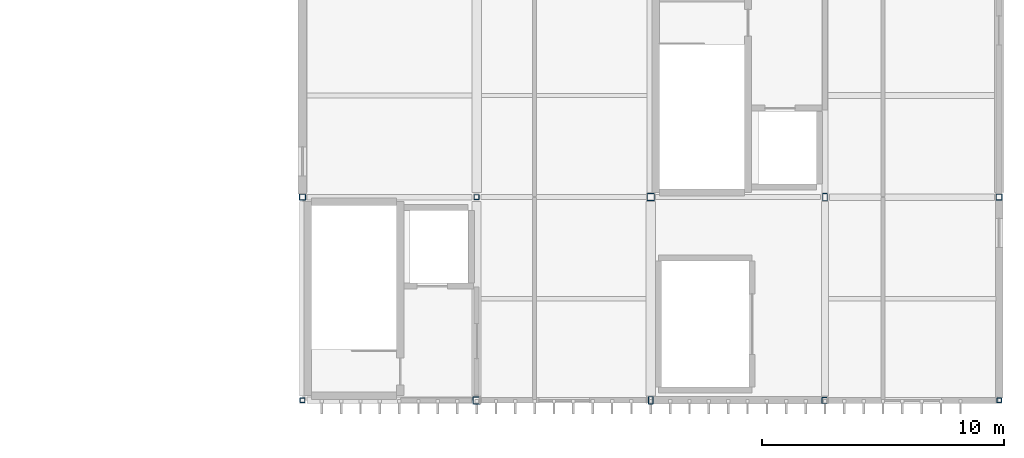
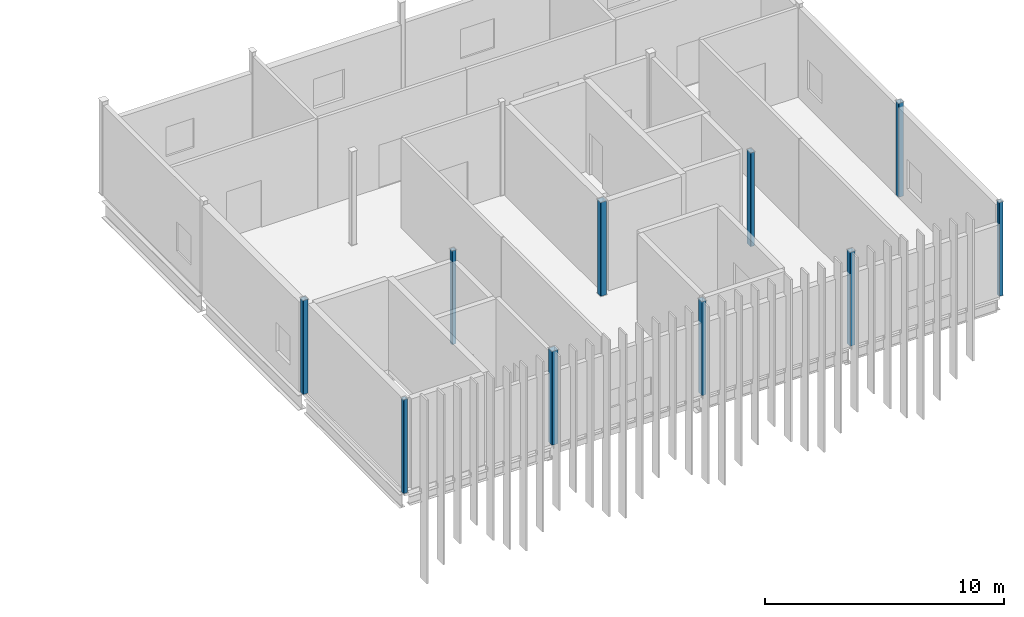
# One storey, part 5 of 27: 10 columns.
"""IFC4 building model written with IfcOpenShell, lengths in metres."""

from ifc_helpers import new_model, si_unit, direction, frame, origin, origin_2d, place, context, subcontext, project, spatial, hollow_rectangle, extrude, material, material_profile, profile_set, type_object, element, save


model = new_model("IFC4")

# Units and contexts
model_context = context("Model", 3, precision=1e-05, world=origin(), true_north=direction((0.0, 1.0)))
body_context = subcontext(model_context, "Body", "Model", "MODEL_VIEW")
ifc_project = project(units=[si_unit("LENGTHUNIT", "METRE"), si_unit("AREAUNIT", "SQUARE_METRE"), si_unit("VOLUMEUNIT", "CUBIC_METRE"), si_unit("PLANEANGLEUNIT", "RADIAN"), si_unit("MASSUNIT", "GRAM", prefix="KILO")], contexts=[model_context])

# Site, building, storey
site_placement = place(None, origin())
site = spatial("IfcSite", under=ifc_project, at=site_placement, CompositionType="ELEMENT")
building_placement = place(site_placement, origin())
building = spatial("IfcBuilding", under=site, at=building_placement, Name="Calvrana Isthmian Art Gallery", CompositionType="ELEMENT")
storey_placement = place(building_placement, frame((0.0, 0.0, 24.60009765625)))
storey = spatial("IfcBuildingStorey", under=building, at=storey_placement, Name="L05", CompositionType="ELEMENT", Elevation=24.60009765625)

# Columns
ifc_material = material(Name="Steel ASTM A500 Gr C", Category="steel")
ifc_material_profile_1 = material_profile(ifc_material, hollow_rectangle(XDim=0.203125, YDim=0.203125, WallThickness=0.0126953125, OuterFilletRadius=0.02490234375, at=origin_2d()), Name="HSS203X203X12.7")
ifc_profile_set_1 = profile_set([ifc_material_profile_1], Name="Steel ASTM A500 Gr C")
column_type_1 = type_object("IfcColumnType", Name="COL-STL-HSS203X203X12.7", PredefinedType="COLUMN", material=ifc_profile_set_1)
for number, where, z_axis, x_axis, name in (
    (1, (112.800048828125, 21.60009765625, 0.0), (0.0, 0.0, 1.0), (1.0, 0.0, 0.0), "Column 15/D L05"),
    (2, (120.0, 30.0, 0.0), (0.0, 0.0, 1.0), (1.0, 0.0, 0.0), "Column 16/E L05"),
    (3, (141.60009765625, 21.60009765625, 0.0), (0.0, 0.0, 1.0), (1.0, 0.0, 0.0), "Column 19/D L05"),
):
    element("IfcColumn", number, at=place(storey_placement, frame(where, z_axis=z_axis, x_axis=x_axis)), inside=storey, type_object=column_type_1, Name=name, PredefinedType="COLUMN", context=body_context, shape_type="SweptSolid", body=[
        extrude(hollow_rectangle(XDim=0.203125, YDim=0.203125, WallThickness=0.0126953125, OuterFilletRadius=0.02490234375, at=origin_2d()), origin(), (0.0, 0.0, 1.0), 4.7998046875),
    ])
ifc_material_profile_2 = material_profile(ifc_material, hollow_rectangle(XDim=0.25390625, YDim=0.25390625, WallThickness=0.0126953125, OuterFilletRadius=0.02490234375, at=origin_2d()), Name="HSS254X254X12.7")
ifc_profile_set_2 = profile_set([ifc_material_profile_2], Name="Steel ASTM A500 Gr C")
column_type_2 = type_object("IfcColumnType", Name="COL-STL-HSS254X254X12.7", PredefinedType="COLUMN", material=ifc_profile_set_2)
for number, where, z_axis, x_axis, name in (
    (4, (112.800048828125, 30.0, 0.0), (0.0, 0.0, 1.0), (1.0, 0.0, 0.0), "Column 15/E L05"),
    (5, (134.39990234375, 21.60009765625, 0.0), (0.0, 0.0, 1.0), (1.0, 0.0, 0.0), "Column 18/D L05"),
    (6, (141.60009765625, 30.0, 0.0), (0.0, 0.0, 1.0), (1.0, 0.0, 0.0), "Column 19/E L05"),
):
    element("IfcColumn", number, at=place(storey_placement, frame(where, z_axis=z_axis, x_axis=x_axis)), inside=storey, type_object=column_type_2, Name=name, PredefinedType="COLUMN", context=body_context, shape_type="SweptSolid", body=[
        extrude(hollow_rectangle(XDim=0.25390625, YDim=0.25390625, WallThickness=0.0126953125, OuterFilletRadius=0.02490234375, at=origin_2d()), origin(), (0.0, 0.0, 1.0), 4.7998046875),
    ])
ifc_material_profile_3 = material_profile(ifc_material, hollow_rectangle(XDim=0.203125, YDim=0.3046875, WallThickness=0.0126953125, OuterFilletRadius=0.02490234375, at=origin_2d()), Name="HSS305X203X12.7")
ifc_profile_set_3 = profile_set([ifc_material_profile_3], Name="Steel ASTM A500 Gr C")
column_type_3 = type_object("IfcColumnType", Name="COL-STL-HSS305X203X12.7", PredefinedType="COLUMN", material=ifc_profile_set_3)
for number, where, z_axis, x_axis, name in (
    (7, (127.199951171875, 21.60009765625, 0.0), (0.0, 0.0, 1.0), (1.0, 0.0, 0.0), "Column 17/D L05"),
    (8, (134.39990234375, 30.0, 0.0), (0.0, 0.0, 1.0), (1.0, 0.0, 0.0), "Column 18/E L05"),
):
    element("IfcColumn", number, at=place(storey_placement, frame(where, z_axis=z_axis, x_axis=x_axis)), inside=storey, type_object=column_type_3, Name=name, PredefinedType="COLUMN", context=body_context, shape_type="SweptSolid", body=[
        extrude(hollow_rectangle(XDim=0.203125, YDim=0.3046875, WallThickness=0.0126953125, OuterFilletRadius=0.02490234375, at=origin_2d()), origin(), (0.0, 0.0, 1.0), 4.7998046875),
    ])
ifc_material_profile_4 = material_profile(ifc_material, hollow_rectangle(XDim=0.3046875, YDim=0.3046875, WallThickness=0.015869140625, OuterFilletRadius=0.031982421875, at=origin_2d()), Name="HSS305X305X15.9")
ifc_profile_set_4 = profile_set([ifc_material_profile_4], Name="Steel ASTM A500 Gr C")
column_type_4 = type_object("IfcColumnType", Name="COL-STL-HSS305X305X15.9", PredefinedType="COLUMN", material=ifc_profile_set_4)
for number, where, z_axis, x_axis, name in (
    (9, (120.0, 21.60009765625, 0.0), (0.0, 0.0, 1.0), (1.0, 0.0, 0.0), "Column 16/D L05"),
    (10, (127.199951171875, 30.0, 0.0), (0.0, 0.0, 1.0), (1.0, 0.0, 0.0), "Column 17/E L05"),
):
    element("IfcColumn", number, at=place(storey_placement, frame(where, z_axis=z_axis, x_axis=x_axis)), inside=storey, type_object=column_type_4, Name=name, PredefinedType="COLUMN", context=body_context, shape_type="SweptSolid", body=[
        extrude(hollow_rectangle(XDim=0.3046875, YDim=0.3046875, WallThickness=0.015869140625, OuterFilletRadius=0.031982421875, at=origin_2d()), origin(), (0.0, 0.0, 1.0), 4.7998046875),
    ])

save(model, "model.ifc")
